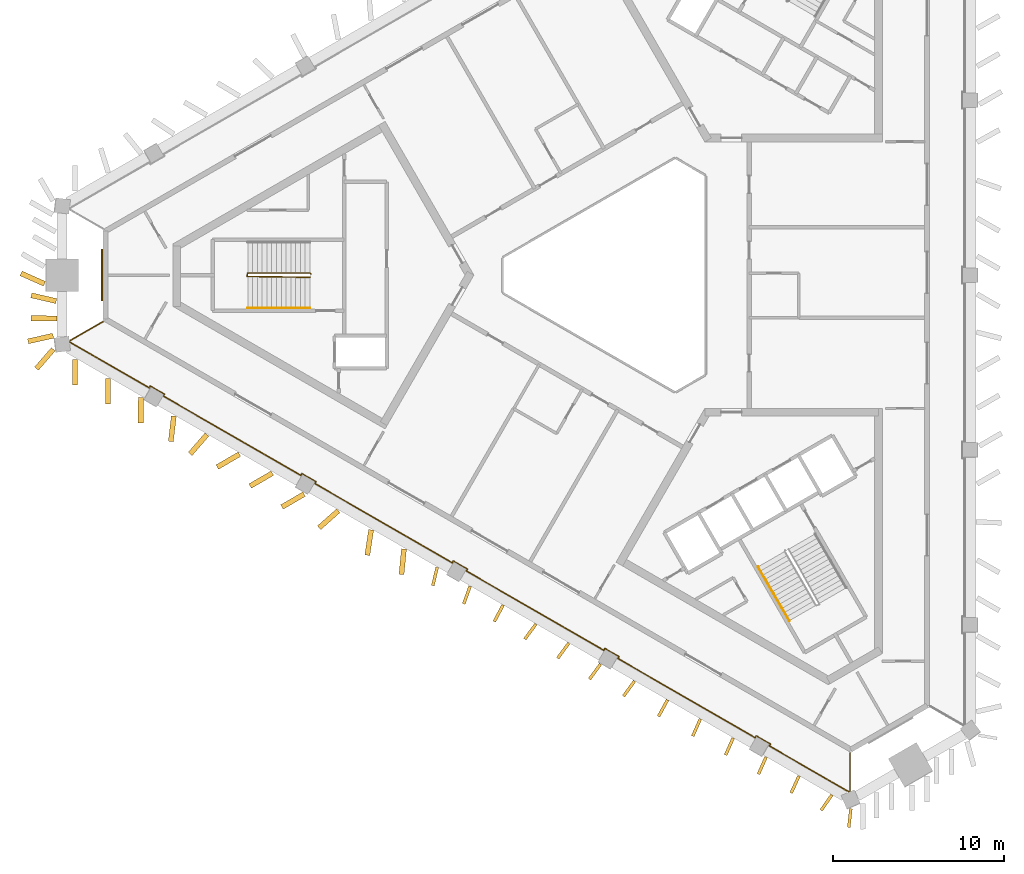
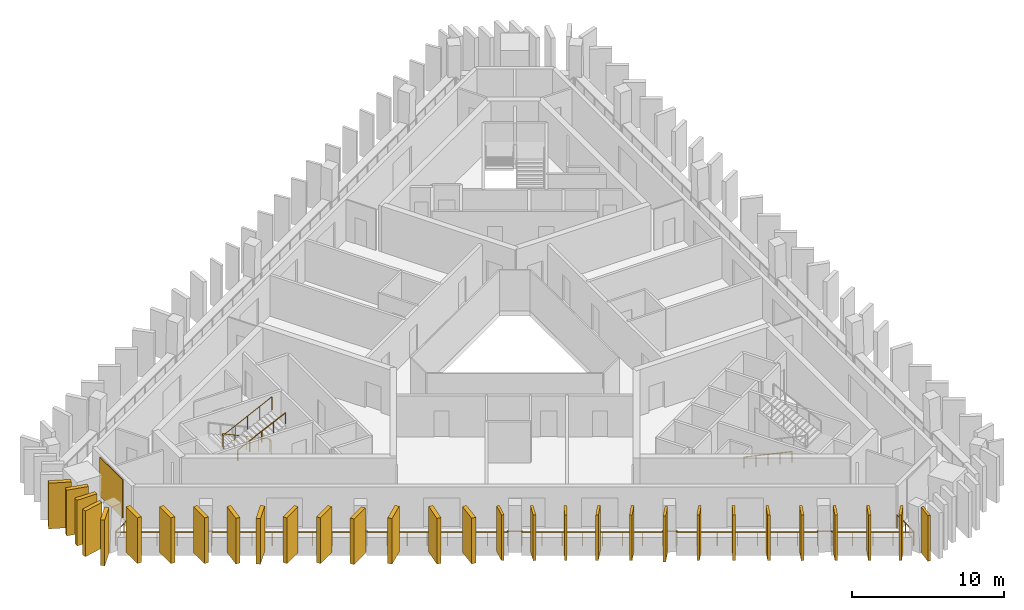
# One storey, part 7 of 9: 30 shading devices, 4 railings, 1 covering.
"""IFC4 building model written with IfcOpenShell, lengths in metres."""

from ifc_helpers import new_model, si_unit, direction, frame, frame_2d, origin, origin_2d, place, context, subcontext, project, spatial, rectangle, circle, extrude, material, layer, layer_set, type_object, element, save


model = new_model("IFC4")

# Units and contexts
model_context = context("Model", 3, precision=1e-05, world=origin(), true_north=direction((0.0, 1.0)))
body_context = subcontext(model_context, "Body", "Model", "MODEL_VIEW")
ifc_project = project(units=[si_unit("LENGTHUNIT", "METRE"), si_unit("AREAUNIT", "SQUARE_METRE"), si_unit("VOLUMEUNIT", "CUBIC_METRE"), si_unit("PLANEANGLEUNIT", "RADIAN"), si_unit("MASSUNIT", "GRAM", prefix="KILO")], contexts=[model_context])

# Site, building, storey
site_placement = place(None, origin())
site = spatial("IfcSite", under=ifc_project, at=site_placement, CompositionType="ELEMENT")
building_placement = place(site_placement, origin())
building = spatial("IfcBuilding", under=site, at=building_placement, Name="Jabali Bay Hotel Tower and Convention Centre", CompositionType="ELEMENT")
storey_placement = place(building_placement, frame((0.0, 0.0, 228.0)))
storey = spatial("IfcBuildingStorey", under=building, at=storey_placement, Name="L56", CompositionType="ELEMENT", Elevation=228.0)

# Railing
ifc_material_1 = material(Name="Glass", Category="glass")
railing_type_1 = type_object("IfcRailingType", Name="Loggia glass guard 1100", PredefinedType="BALUSTRADE", material=ifc_material_1)
railing_1_placement = place(storey_placement, frame((87.993408203125, 52.05712890625, 0.0)))
element("IfcRailing", 1, at=railing_1_placement, inside=storey, type_object=railing_type_1, Name="Loggia glass guard L56", PredefinedType="BALUSTRADE", context=body_context, shape_type="SweptSolid", body=[
    extrude(circle(Radius=0.02490234375, at=origin_2d()), frame((0.0, 0.0, 1.0751953125), z_axis=(0.0, -1.0, 0.0), x_axis=(0.991444861374, 0.0, 0.13052619222)), (0.0, 0.0, 1.0), 2.24755859375),
    extrude(circle(Radius=0.02490234375, at=origin_2d()), frame((0.0, -2.24755859375, 1.0751953125), z_axis=(-0.91970817197, -0.392602697916, 0.0), x_axis=(0.38924392741, -0.911839941063, 0.13052619222)), (0.0, 0.0, 1.0), 0.067138671875),
    extrude(circle(Radius=0.02490234375, at=origin_2d()), frame((-0.061767578125, -2.27392578125, 1.0751953125), z_axis=(-0.866004064096, 0.500036959603, 0.0), x_axis=(-0.495759074095, -0.858595279277, 0.13052619222)), (0.0, 0.0, 1.0), 5.37548828125),
    extrude(circle(Radius=0.02490234375, at=origin_2d()), frame((-4.717041015625, 0.4140625, 1.0751953125), z_axis=(0.500342721131, 0.865827443207, 0.0), x_axis=(-0.858420169404, 0.496062219791, 0.13052619222)), (0.0, 0.0, 1.0), 0.125),
    extrude(circle(Radius=0.02490234375, at=origin_2d()), frame((-4.654541015625, 0.522216796875, 1.0751953125), z_axis=(-0.865988727248, 0.500063520245, 0.0), x_axis=(-0.495785407507, -0.858580073638, 0.13052619222)), (0.0, 0.0, 1.0), 0.9501953125),
    extrude(circle(Radius=0.02490234375, at=origin_2d()), frame((-5.477294921875, 0.997314453125, 1.0751953125), z_axis=(-0.499497219344, -0.8663154898, 0.0), x_axis=(0.858904040691, -0.495223951389, 0.13052619222)), (0.0, 0.0, 1.0), 0.125244140625),
    extrude(circle(Radius=0.02490234375, at=origin_2d()), frame((-5.539794921875, 0.888916015625, 1.0751953125), z_axis=(-0.866017763265, 0.500013233535, 0.0), x_axis=(-0.495735551007, -0.858608861247, 0.13052619222)), (0.0, 0.0, 1.0), 9.278564453125),
    extrude(circle(Radius=0.02490234375, at=origin_2d()), frame((-13.5751953125, 5.5283203125, 1.0751953125), z_axis=(0.500342721131, 0.865827443207, 0.0), x_axis=(-0.858420169404, 0.496062219791, 0.13052619222)), (0.0, 0.0, 1.0), 0.125),
    extrude(circle(Radius=0.02490234375, at=origin_2d()), frame((-13.5126953125, 5.636474609375, 1.0751953125), z_axis=(-0.865988727248, 0.500063520245, 0.0), x_axis=(-0.495785407507, -0.858580073638, 0.13052619222)), (0.0, 0.0, 1.0), 0.9501953125),
    extrude(circle(Radius=0.02490234375, at=origin_2d()), frame((-14.33544921875, 6.111572265625, 1.0751953125), z_axis=(-0.499497219344, -0.8663154898, 0.0), x_axis=(0.858904040691, -0.495223951389, 0.13052619222)), (0.0, 0.0, 1.0), 0.125244140625),
    extrude(circle(Radius=0.02490234375, at=origin_2d()), frame((-14.39794921875, 6.003173828125, 1.0751953125), z_axis=(-0.866029156965, 0.499993499245, 0.0), x_axis=(-0.495715985547, -0.858620157473, 0.13052619222)), (0.0, 0.0, 1.0), 9.2783203125),
    extrude(circle(Radius=0.02490234375, at=origin_2d()), frame((-22.433349609375, 10.642333984375, 1.0751953125), z_axis=(0.499497219344, 0.8663154898, 0.0), x_axis=(-0.858904040691, 0.495223951389, 0.13052619222)), (0.0, 0.0, 1.0), 0.125244140625),
    extrude(circle(Radius=0.02490234375, at=origin_2d()), frame((-22.370849609375, 10.750732421875, 1.0751953125), z_axis=(-0.866100000774, 0.49987077196, 0.0), x_axis=(-0.495594308211, -0.858690395203, 0.13052619222)), (0.0, 0.0, 1.0), 0.949951171875),
    extrude(circle(Radius=0.02490234375, at=origin_2d()), frame((-23.193603515625, 11.2255859375, 1.0751953125), z_axis=(-0.500342721131, -0.865827443207, 0.0), x_axis=(0.858420169404, -0.496062219791, 0.13052619222)), (0.0, 0.0, 1.0), 0.125),
    extrude(circle(Radius=0.02490234375, at=origin_2d()), frame((-23.256103515625, 11.117431640625, 1.0751953125), z_axis=(-0.866029156965, 0.499993499245, 0.0), x_axis=(-0.495715985547, -0.858620157473, 0.13052619222)), (0.0, 0.0, 1.0), 9.2783203125),
    extrude(circle(Radius=0.02490234375, at=origin_2d()), frame((-31.29150390625, 15.756591796875, 1.0751953125), z_axis=(0.499497219344, 0.8663154898, 0.0), x_axis=(-0.858904040691, 0.495223951389, 0.13052619222)), (0.0, 0.0, 1.0), 0.125244140625),
    extrude(circle(Radius=0.02490234375, at=origin_2d()), frame((-31.22900390625, 15.864990234375, 1.0751953125), z_axis=(-0.866100000774, 0.49987077196, 0.0), x_axis=(-0.495594308211, -0.858690395203, 0.13052619222)), (0.0, 0.0, 1.0), 0.949951171875),
    extrude(circle(Radius=0.02490234375, at=origin_2d()), frame((-32.0517578125, 16.33984375, 1.0751953125), z_axis=(-0.500342721131, -0.865827443207, 0.0), x_axis=(0.858420169404, -0.496062219791, 0.13052619222)), (0.0, 0.0, 1.0), 0.125),
    extrude(circle(Radius=0.02490234375, at=origin_2d()), frame((-32.1142578125, 16.231689453125, 1.0751953125), z_axis=(-0.866022578741, 0.500004893086, 0.0), x_axis=(-0.495727281912, -0.858613635527, 0.13052619222)), (0.0, 0.0, 1.0), 9.2783203125),
    extrude(circle(Radius=0.02490234375, at=origin_2d()), frame((-40.1494140625, 20.870849609375, 1.0751953125), z_axis=(0.499497219344, 0.8663154898, 0.0), x_axis=(-0.858904040691, 0.495223951389, 0.13052619222)), (0.0, 0.0, 1.0), 0.125244140625),
    extrude(circle(Radius=0.02490234375, at=origin_2d()), frame((-40.0869140625, 20.979248046875, 1.0751953125), z_axis=(-0.866100000774, 0.49987077196, 0.0), x_axis=(-0.495594308211, -0.858690395203, 0.13052619222)), (0.0, 0.0, 1.0), 0.949951171875),
    extrude(circle(Radius=0.02490234375, at=origin_2d()), frame((-40.90966796875, 21.4541015625, 1.0751953125), z_axis=(-0.500342721131, -0.865827443207, 0.0), x_axis=(0.858420169404, -0.496062219791, 0.13052619222)), (0.0, 0.0, 1.0), 0.125),
    extrude(circle(Radius=0.02490234375, at=origin_2d()), frame((-40.97216796875, 21.345947265625, 1.0751953125), z_axis=(-0.866035084688, 0.499983231807, 0.0), x_axis=(-0.495705805949, -0.858626034484, 0.13052619222)), (0.0, 0.0, 1.0), 5.375732421875),
    extrude(circle(Radius=0.02490234375, at=origin_2d()), frame((-45.627685546875, 24.03369140625, 1.0751953125), z_axis=(-0.120005554105, 0.99277322032, 0.0), x_axis=(-0.984279907796, -0.118978889953, 0.13052619222)), (0.0, 0.0, 1.0), 0.067138671875),
    extrude(circle(Radius=0.02490234375, at=origin_2d()), frame((-45.6357421875, 24.100341796875, 1.0751953125), z_axis=(0.866008297462, 0.50002962785, 0.0), x_axis=(-0.495751805066, 0.858599476426, 0.13052619222)), (0.0, 0.0, 1.0), 2.247314453125),
    extrude(circle(Radius=0.02001953125, at=origin_2d()), origin(), (0.0, 0.0, 1.0), 1.050048828125),
    extrude(circle(Radius=0.02001953125, at=origin_2d()), frame((0.0, -1.123779296875, 0.0)), (0.0, 0.0, 1.0), 1.050048828125),
    extrude(circle(Radius=0.02001953125, at=origin_2d()), frame((0.0, -2.24755859375, 0.0)), (0.0, 0.0, 1.0), 1.050048828125),
    extrude(circle(Radius=0.02001953125, at=origin_2d()), frame((-0.061767578125, -2.27392578125, 0.0)), (0.0, 0.0, 1.0), 1.050048828125),
    extrude(circle(Radius=0.02001953125, at=origin_2d()), frame((-1.2255859375, -1.60205078125, 0.0)), (0.0, 0.0, 1.0), 1.050048828125),
    extrude(circle(Radius=0.02001953125, at=origin_2d()), frame((-2.389404296875, -0.929931640625, 0.0)), (0.0, 0.0, 1.0), 1.050048828125),
    extrude(circle(Radius=0.02001953125, at=origin_2d()), frame((-3.55322265625, -0.2578125, 0.0)), (0.0, 0.0, 1.0), 1.050048828125),
    extrude(circle(Radius=0.02001953125, at=origin_2d()), frame((-4.717041015625, 0.4140625, 0.0)), (0.0, 0.0, 1.0), 1.050048828125),
    extrude(circle(Radius=0.02001953125, at=origin_2d()), frame((-4.654541015625, 0.522216796875, 0.0)), (0.0, 0.0, 1.0), 1.050048828125),
    extrude(circle(Radius=0.02001953125, at=origin_2d()), frame((-5.477294921875, 0.997314453125, 0.0)), (0.0, 0.0, 1.0), 1.050048828125),
    extrude(circle(Radius=0.02001953125, at=origin_2d()), frame((-5.539794921875, 0.888916015625, 0.0)), (0.0, 0.0, 1.0), 1.050048828125),
    extrude(circle(Radius=0.02001953125, at=origin_2d()), frame((-6.687744140625, 1.5517578125, 0.0)), (0.0, 0.0, 1.0), 1.050048828125),
    extrude(circle(Radius=0.02001953125, at=origin_2d()), frame((-7.835693359375, 2.21435546875, 0.0)), (0.0, 0.0, 1.0), 1.050048828125),
    extrude(circle(Radius=0.02001953125, at=origin_2d()), frame((-8.983642578125, 2.877197265625, 0.0)), (0.0, 0.0, 1.0), 1.050048828125),
    extrude(circle(Radius=0.02001953125, at=origin_2d()), frame((-10.13134765625, 3.5400390625, 0.0)), (0.0, 0.0, 1.0), 1.050048828125),
    extrude(circle(Radius=0.02001953125, at=origin_2d()), frame((-11.279296875, 4.202880859375, 0.0)), (0.0, 0.0, 1.0), 1.050048828125),
    extrude(circle(Radius=0.02001953125, at=origin_2d()), frame((-12.42724609375, 4.865478515625, 0.0)), (0.0, 0.0, 1.0), 1.050048828125),
    extrude(circle(Radius=0.02001953125, at=origin_2d()), frame((-13.5751953125, 5.5283203125, 0.0)), (0.0, 0.0, 1.0), 1.050048828125),
    extrude(circle(Radius=0.02001953125, at=origin_2d()), frame((-13.5126953125, 5.636474609375, 0.0)), (0.0, 0.0, 1.0), 1.050048828125),
    extrude(circle(Radius=0.02001953125, at=origin_2d()), frame((-14.33544921875, 6.111572265625, 0.0)), (0.0, 0.0, 1.0), 1.050048828125),
    extrude(circle(Radius=0.02001953125, at=origin_2d()), frame((-14.39794921875, 6.003173828125, 0.0)), (0.0, 0.0, 1.0), 1.050048828125),
    extrude(circle(Radius=0.02001953125, at=origin_2d()), frame((-15.5458984375, 6.666015625, 0.0)), (0.0, 0.0, 1.0), 1.050048828125),
    extrude(circle(Radius=0.02001953125, at=origin_2d()), frame((-16.69384765625, 7.32861328125, 0.0)), (0.0, 0.0, 1.0), 1.050048828125),
    extrude(circle(Radius=0.02001953125, at=origin_2d()), frame((-17.841796875, 7.991455078125, 0.0)), (0.0, 0.0, 1.0), 1.050048828125),
    extrude(circle(Radius=0.02001953125, at=origin_2d()), frame((-18.989501953125, 8.654052734375, 0.0)), (0.0, 0.0, 1.0), 1.050048828125),
    extrude(circle(Radius=0.02001953125, at=origin_2d()), frame((-20.137451171875, 9.31689453125, 0.0)), (0.0, 0.0, 1.0), 1.050048828125),
    extrude(circle(Radius=0.02001953125, at=origin_2d()), frame((-21.285400390625, 9.9794921875, 0.0)), (0.0, 0.0, 1.0), 1.050048828125),
    extrude(circle(Radius=0.02001953125, at=origin_2d()), frame((-22.433349609375, 10.642333984375, 0.0)), (0.0, 0.0, 1.0), 1.050048828125),
    extrude(circle(Radius=0.02001953125, at=origin_2d()), frame((-22.370849609375, 10.750732421875, 0.0)), (0.0, 0.0, 1.0), 1.050048828125),
    extrude(circle(Radius=0.02001953125, at=origin_2d()), frame((-23.193603515625, 11.2255859375, 0.0)), (0.0, 0.0, 1.0), 1.050048828125),
    extrude(circle(Radius=0.02001953125, at=origin_2d()), frame((-23.256103515625, 11.117431640625, 0.0)), (0.0, 0.0, 1.0), 1.050048828125),
    extrude(circle(Radius=0.02001953125, at=origin_2d()), frame((-24.404052734375, 11.7802734375, 0.0)), (0.0, 0.0, 1.0), 1.050048828125),
    extrude(circle(Radius=0.02001953125, at=origin_2d()), frame((-25.552001953125, 12.44287109375, 0.0)), (0.0, 0.0, 1.0), 1.050048828125),
    extrude(circle(Radius=0.02001953125, at=origin_2d()), frame((-26.699951171875, 13.105712890625, 0.0)), (0.0, 0.0, 1.0), 1.050048828125),
    extrude(circle(Radius=0.02001953125, at=origin_2d()), frame((-27.84765625, 13.768310546875, 0.0)), (0.0, 0.0, 1.0), 1.050048828125),
    extrude(circle(Radius=0.02001953125, at=origin_2d()), frame((-28.99560546875, 14.43115234375, 0.0)), (0.0, 0.0, 1.0), 1.050048828125),
    extrude(circle(Radius=0.02001953125, at=origin_2d()), frame((-30.1435546875, 15.09375, 0.0)), (0.0, 0.0, 1.0), 1.050048828125),
    extrude(circle(Radius=0.02001953125, at=origin_2d()), frame((-31.29150390625, 15.756591796875, 0.0)), (0.0, 0.0, 1.0), 1.050048828125),
    extrude(circle(Radius=0.02001953125, at=origin_2d()), frame((-31.22900390625, 15.864990234375, 0.0)), (0.0, 0.0, 1.0), 1.050048828125),
    extrude(circle(Radius=0.02001953125, at=origin_2d()), frame((-32.0517578125, 16.33984375, 0.0)), (0.0, 0.0, 1.0), 1.050048828125),
    extrude(circle(Radius=0.02001953125, at=origin_2d()), frame((-32.1142578125, 16.231689453125, 0.0)), (0.0, 0.0, 1.0), 1.050048828125),
    extrude(circle(Radius=0.02001953125, at=origin_2d()), frame((-33.26220703125, 16.89453125, 0.0)), (0.0, 0.0, 1.0), 1.050048828125),
    extrude(circle(Radius=0.02001953125, at=origin_2d()), frame((-34.409912109375, 17.55712890625, 0.0)), (0.0, 0.0, 1.0), 1.050048828125),
    extrude(circle(Radius=0.02001953125, at=origin_2d()), frame((-35.557861328125, 18.219970703125, 0.0)), (0.0, 0.0, 1.0), 1.050048828125),
    extrude(circle(Radius=0.02001953125, at=origin_2d()), frame((-36.705810546875, 18.882568359375, 0.0)), (0.0, 0.0, 1.0), 1.050048828125),
    extrude(circle(Radius=0.02001953125, at=origin_2d()), frame((-37.853759765625, 19.54541015625, 0.0)), (0.0, 0.0, 1.0), 1.050048828125),
    extrude(circle(Radius=0.02001953125, at=origin_2d()), frame((-39.00146484375, 20.2080078125, 0.0)), (0.0, 0.0, 1.0), 1.050048828125),
    extrude(circle(Radius=0.02001953125, at=origin_2d()), frame((-40.1494140625, 20.870849609375, 0.0)), (0.0, 0.0, 1.0), 1.050048828125),
    extrude(circle(Radius=0.02001953125, at=origin_2d()), frame((-40.0869140625, 20.979248046875, 0.0)), (0.0, 0.0, 1.0), 1.050048828125),
    extrude(circle(Radius=0.02001953125, at=origin_2d()), frame((-40.90966796875, 21.4541015625, 0.0)), (0.0, 0.0, 1.0), 1.050048828125),
    extrude(circle(Radius=0.02001953125, at=origin_2d()), frame((-40.97216796875, 21.345947265625, 0.0)), (0.0, 0.0, 1.0), 1.050048828125),
    extrude(circle(Radius=0.02001953125, at=origin_2d()), frame((-42.135986328125, 22.017822265625, 0.0)), (0.0, 0.0, 1.0), 1.050048828125),
    extrude(circle(Radius=0.02001953125, at=origin_2d()), frame((-43.2998046875, 22.68994140625, 0.0)), (0.0, 0.0, 1.0), 1.050048828125),
    extrude(circle(Radius=0.02001953125, at=origin_2d()), frame((-44.4638671875, 23.36181640625, 0.0)), (0.0, 0.0, 1.0), 1.050048828125),
    extrude(circle(Radius=0.02001953125, at=origin_2d()), frame((-45.627685546875, 24.03369140625, 0.0)), (0.0, 0.0, 1.0), 1.050048828125),
    extrude(circle(Radius=0.02001953125, at=origin_2d()), frame((-45.6357421875, 24.100341796875, 0.0)), (0.0, 0.0, 1.0), 1.050048828125),
    extrude(circle(Radius=0.02001953125, at=origin_2d()), frame((-44.66259765625, 24.662109375, 0.0)), (0.0, 0.0, 1.0), 1.050048828125),
    extrude(circle(Radius=0.02001953125, at=origin_2d()), frame((-43.689453125, 25.22412109375, 0.0)), (0.0, 0.0, 1.0), 1.050048828125),
])

# Shading devices
ifc_material_2 = material(Name="Precast concrete C60", Category="concrete")
ifc_layer_1 = layer(ifc_material_2, 0.179931640625)
ifc_layer_set_1 = layer_set([ifc_layer_1], Name="Precast concrete C60")
shading_device_type_1 = type_object("IfcShadingDeviceType", Name="Precast fin 3680 x 1100", PredefinedType="USERDEFINED", material=ifc_layer_set_1)
for number, where, z_axis, x_axis, name in (
    (2, (63.853515625, 62.913330078125, 0.010009765625), (0.0, 0.0, 1.0), (-0.231500497633, -0.972834785355, 0.0), "Fin L56 075"),
    (3, (65.78076171875, 61.81201171875, 0.010009765625), (0.0, 0.0, 1.0), (-0.340958728661, -0.940078265545, 0.0), "Fin L56 076"),
):
    element("IfcShadingDevice", number, at=place(storey_placement, frame(where, z_axis=z_axis, x_axis=x_axis)), inside=storey, type_object=shading_device_type_1, Name=name, ObjectType="FIN", PredefinedType="USERDEFINED", context=body_context, shape_type="SweptSolid", body=[
        extrude(rectangle(XDim=1.099853515625, YDim=0.179931640625, at=frame_2d((0.5498046875, 0.0))), origin(), (0.0, 0.0, 1.0), 3.679931640625),
    ])
for number, where, z_axis, x_axis, name in (
    (4, (67.709716796875, 60.713134765625, 0.010009765625), (0.0, 0.0, 1.0), (-0.470058271093, -0.88263538439, 0.0), "Fin L56 077"),
    (5, (69.628662109375, 59.59716796875, 0.010009765625), (0.0, 0.0, 1.0), (-0.593910447541, -0.804531155582, 0.0), "Fin L56 078"),
    (6, (71.55126953125, 58.487548828125, 0.010009765625), (0.0, 0.0, 1.0), (-0.589938679947, -0.807448050281, 0.0), "Fin L56 079"),
    (7, (73.40771484375, 57.262939453125, 0.010009765625), (0.0, 0.0, 1.0), (-0.588791741155, -0.80828477998, 0.0), "Fin L56 080"),
    (8, (75.396484375, 56.267822265625, 0.010009765625), (0.0, 0.0, 1.0), (-0.588290444592, -0.808649709579, 0.0), "Fin L56 081"),
    (9, (77.322509765625, 55.164306640625, 0.010009765625), (0.0, 0.0, 1.0), (-0.478883226143, -0.877878611039, 0.0), "Fin L56 082"),
    (10, (79.241455078125, 54.048095703125, 0.010009765625), (0.0, 0.0, 1.0), (-0.406550227818, -0.913628432275, 0.0), "Fin L56 083"),
):
    element("IfcShadingDevice", number, at=place(storey_placement, frame(where, z_axis=z_axis, x_axis=x_axis)), inside=storey, type_object=shading_device_type_1, Name=name, ObjectType="FIN", PredefinedType="USERDEFINED", context=body_context, shape_type="SweptSolid", body=[
        extrude(rectangle(XDim=1.10009765625, YDim=0.179931640625, at=frame_2d((0.550048828125, 0.0))), origin(), (0.0, 0.0, 1.0), 3.679931640625),
    ])
for number, where, z_axis, x_axis, name in (
    (11, (81.163818359375, 52.93798828125, 0.010009765625), (0.0, 0.0, 1.0), (-0.406632670459, -0.913591742145, 0.0), "Fin L56 084"),
    (12, (83.086181640625, 51.828125, 0.010009765625), (0.0, 0.0, 1.0), (-0.40617965337, -0.913793242035, 0.0), "Fin L56 085"),
):
    element("IfcShadingDevice", number, at=place(storey_placement, frame(where, z_axis=z_axis, x_axis=x_axis)), inside=storey, type_object=shading_device_type_1, Name=name, ObjectType="FIN", PredefinedType="USERDEFINED", context=body_context, shape_type="SweptSolid", body=[
        extrude(rectangle(XDim=1.099853515625, YDim=0.179931640625, at=frame_2d((0.5498046875, 0.0))), origin(), (0.0, 0.0, 1.0), 3.679931640625),
    ])
for number, where, z_axis, x_axis, name in (
    (13, (85.00927734375, 50.718994140625, 0.010009765625), (0.0, 0.0, 1.0), (-0.41614261584, -0.909299358452, 0.0), "Fin L56 086"),
    (14, (86.93212890625, 49.60986328125, 0.010009765625), (0.0, 0.0, 1.0), (-0.57062871081, -0.821208179696, 0.0), "Fin L56 087"),
    (15, (88.04345703125, 48.80517578125, 0.010009765625), (0.0, 0.0, 1.0), (-0.110748191333, -0.993848498573, 0.0), "Fin L56 101"),
):
    element("IfcShadingDevice", number, at=place(storey_placement, frame(where, z_axis=z_axis, x_axis=x_axis)), inside=storey, type_object=shading_device_type_1, Name=name, ObjectType="FIN", PredefinedType="USERDEFINED", context=body_context, shape_type="SweptSolid", body=[
        extrude(rectangle(XDim=1.10009765625, YDim=0.179931640625, at=frame_2d((0.550048828125, 0.0))), origin(), (0.0, 0.0, 1.0), 3.679931640625),
    ])
ifc_layer_2 = layer(ifc_material_2, 0.300048828125)
ifc_layer_set_2 = layer_set([ifc_layer_2], Name="Precast concrete C60")
shading_device_type_2 = type_object("IfcShadingDeviceType", Name="Precast fin 3680 x 1500", PredefinedType="USERDEFINED", material=ifc_layer_set_2)
for number, where, z_axis, x_axis, name in (
    (16, (40.893798828125, 79.494140625, 0.010009765625), (0.0, 0.0, 1.0), (-0.91390548953, 0.405927033106, 0.0), "Fin L56 060"),
    (17, (41.58349609375, 78.482421875, 0.010009765625), (0.0, 0.0, 1.0), (-0.974333554562, 0.225109138984, 0.0), "Fin L56 061"),
    (18, (41.615966796875, 77.470703125, 0.010009765625), (0.0, 0.0, 1.0), (-0.999965550296, 0.008300495291, 0.0), "Fin L56 062"),
    (19, (41.3994140625, 76.458984375, 0.010009765625), (0.0, 0.0, 1.0), (-0.975744639725, -0.218911849947, 0.0), "Fin L56 063"),
    (20, (42.681640625, 75.080322265625, 0.010009765625), (0.0, 0.0, 1.0), (-0.002278639918, -0.999997403897, 0.0), "Fin L56 064"),
    (21, (44.604248046875, 73.970458984375, 0.010009765625), (0.0, 0.0, 1.0), (-0.002278639918, -0.999997403897, 0.0), "Fin L56 065"),
    (22, (46.526611328125, 72.8603515625, 0.010009765625), (0.0, 0.0, 1.0), (-0.002278639918, -0.999997403897, 0.0), "Fin L56 066"),
):
    element("IfcShadingDevice", number, at=place(storey_placement, frame(where, z_axis=z_axis, x_axis=x_axis)), inside=storey, type_object=shading_device_type_2, Name=name, ObjectType="FIN", PredefinedType="USERDEFINED", context=body_context, shape_type="SweptSolid", body=[
        extrude(rectangle(XDim=1.5, YDim=0.300048828125, at=frame_2d((0.75, 0.0))), origin(), (0.0, 0.0, 1.0), 3.679931640625),
    ])
shading_device_1_placement = place(storey_placement, frame((48.456787109375, 71.763916015625, 0.010009765625), z_axis=(0.0, 0.0, 1.0), x_axis=(-0.116520209369, -0.993188320918, 0.0)))
element("IfcShadingDevice", 23, at=shading_device_1_placement, inside=storey, type_object=shading_device_type_2, Name="Fin L56 067", ObjectType="FIN", PredefinedType="USERDEFINED", context=body_context, shape_type="SweptSolid", body=[
    extrude(rectangle(XDim=1.500244140625, YDim=0.300048828125, at=frame_2d((0.75, 0.0))), origin(), (0.0, 0.0, 1.0), 3.679931640625),
])
shading_device_2_placement = place(storey_placement, frame((50.394775390625, 70.6806640625, 0.010009765625), z_axis=(0.0, 0.0, 1.0), x_axis=(-0.654936734753, -0.755683712589, 0.0)))
element("IfcShadingDevice", 24, at=shading_device_2_placement, inside=storey, type_object=shading_device_type_2, Name="Fin L56 068", ObjectType="FIN", PredefinedType="USERDEFINED", context=body_context, shape_type="SweptSolid", body=[
    extrude(rectangle(XDim=1.5, YDim=0.300048828125, at=frame_2d((0.75, 0.0))), origin(), (0.0, 0.0, 1.0), 3.679931640625),
])
shading_device_3_placement = place(storey_placement, frame((52.294189453125, 69.53076171875, 0.010009765625), z_axis=(0.0, 0.0, 1.0), x_axis=(-0.864827698909, -0.502068771384, 0.0)))
element("IfcShadingDevice", 25, at=shading_device_3_placement, inside=storey, type_object=shading_device_type_2, Name="Fin L56 069", ObjectType="FIN", PredefinedType="USERDEFINED", context=body_context, shape_type="SweptSolid", body=[
    extrude(rectangle(XDim=1.500244140625, YDim=0.300048828125, at=frame_2d((0.75, 0.0))), origin(), (0.0, 0.0, 1.0), 3.679931640625),
])
shading_device_4_placement = place(storey_placement, frame((54.216552734375, 68.420654296875, 0.010009765625), z_axis=(0.0, 0.0, 1.0), x_axis=(-0.864786666582, -0.502139444081, 0.0)))
element("IfcShadingDevice", 26, at=shading_device_4_placement, inside=storey, type_object=shading_device_type_2, Name="Fin L56 070", ObjectType="FIN", PredefinedType="USERDEFINED", context=body_context, shape_type="SweptSolid", body=[
    extrude(rectangle(XDim=1.5, YDim=0.300048828125, at=frame_2d((0.75, 0.0))), origin(), (0.0, 0.0, 1.0), 3.679931640625),
])
for number, where, z_axis, x_axis, name in (
    (27, (56.07275390625, 67.196044921875, 0.010009765625), (0.0, 0.0, 1.0), (-0.864197780978, -0.503152258618, 0.0), "Fin L56 071"),
    (28, (58.074951171875, 66.224365234375, 0.010009765625), (0.0, 0.0, 1.0), (-0.748772820038, -0.662826722434, 0.0), "Fin L56 072"),
):
    element("IfcShadingDevice", number, at=place(storey_placement, frame(where, z_axis=z_axis, x_axis=x_axis)), inside=storey, type_object=shading_device_type_2, Name=name, ObjectType="FIN", PredefinedType="USERDEFINED", context=body_context, shape_type="SweptSolid", body=[
        extrude(rectangle(XDim=1.499755859375, YDim=0.300048828125, at=frame_2d((0.75, 0.0))), origin(), (0.0, 0.0, 1.0), 3.679931640625),
    ])
for number, where, z_axis, x_axis, name in (
    (29, (59.994140625, 65.1083984375, 0.010009765625), (0.0, 0.0, 1.0), (-0.150711722211, -0.988577754548, 0.0), "Fin L56 073"),
    (30, (61.912841796875, 63.991943359375, 0.010009765625), (0.0, 0.0, 1.0), (-0.096844354101, -0.99529953837, 0.0), "Fin L56 074"),
):
    element("IfcShadingDevice", number, at=place(storey_placement, frame(where, z_axis=z_axis, x_axis=x_axis)), inside=storey, type_object=shading_device_type_2, Name=name, ObjectType="FIN", PredefinedType="USERDEFINED", context=body_context, shape_type="SweptSolid", body=[
        extrude(rectangle(XDim=1.5, YDim=0.300048828125, at=frame_2d((0.75, 0.0))), origin(), (0.0, 0.0, 1.0), 3.679931640625),
    ])
shading_device_5_placement = place(storey_placement, frame((41.40966796875, 75.667724609375, 0.010009765625), z_axis=(0.0, 0.0, 1.0), x_axis=(-0.655017293767, -0.7556138861, 0.0)))
element("IfcShadingDevice", 31, at=shading_device_5_placement, inside=storey, type_object=shading_device_type_2, Name="Fin L56 100", ObjectType="FIN", PredefinedType="USERDEFINED", context=body_context, shape_type="SweptSolid", body=[
    extrude(rectangle(XDim=1.499755859375, YDim=0.300048828125, at=frame_2d((0.75, 0.0))), origin(), (0.0, 0.0, 1.0), 3.679931640625),
])

# Covering
ifc_material_3 = material(Name="Precast concrete C40/50", Category="concrete")
ifc_layer_3 = layer(ifc_material_3, 0.080078125)
ifc_layer_set_3 = layer_set([ifc_layer_3], Name="Precast concrete C40/50")
covering_type = type_object("IfcCoveringType", Name="Relief panel 3000 x 3100", PredefinedType="CLADDING", material=ifc_layer_set_3)
covering_placement = place(storey_placement, frame((44.263916015625, 80.0, 0.099853515625), z_axis=(0.0, 0.0, 1.0), x_axis=(0.0, 1.0, 0.0)))
element("IfcCovering", 32, at=covering_placement, inside=storey, type_object=covering_type, Name="Relief panel L56", PredefinedType="CLADDING", context=body_context, shape_type="SweptSolid", body=[
    extrude(rectangle(XDim=3.0, YDim=0.080078125, at=origin_2d()), origin(), (0.0, 0.0, 1.0), 3.10009765625),
])

# Railings
ifc_material_4 = material(Name="Steel Q355B", Category="steel")
railing_type_2 = type_object("IfcRailingType", Name="Stair guard 1100", PredefinedType="GUARDRAIL", material=ifc_material_4)
railing_2_placement = place(storey_placement, frame((56.469970703125, 80.074951171875, 0.0)))
element("IfcRailing", 33, at=railing_2_placement, inside=storey, type_object=railing_type_2, Name="L56 ST1 stair guard 1", PredefinedType="GUARDRAIL", context=body_context, shape_type="SweptSolid", body=[
    extrude(circle(Radius=0.02392578125, at=origin_2d()), frame((0.0, 0.0, 1.076171875), z_axis=(-0.333993628408, 0.333993628408, 0.881417331555), x_axis=(-0.707106781187, -0.707106781187, 0.0)), (0.0, 0.0, 1.0), 0.14990234375),
    extrude(circle(Radius=0.02392578125, at=origin_2d()), frame((-0.050048828125, 0.050048828125, 1.2080078125), z_axis=(-0.904327350853, 0.0, 0.426839598092), x_axis=(0.0, -1.0, 0.0)), (0.0, 0.0, 1.0), 4.02490234375),
    extrude(circle(Radius=0.02392578125, at=origin_2d()), frame((-3.68994140625, 0.050048828125, 2.92626953125), z_axis=(-0.242814311512, -0.970072785993, 0.0), x_axis=(0.970072785993, -0.242814311512, 0.0)), (0.0, 0.0, 1.0), 0.2060546875),
    extrude(circle(Radius=0.02392578125, at=origin_2d()), frame((-3.739990234375, -0.14990234375, 2.92626953125), z_axis=(0.893887803671, -0.012124321804, 0.4481267625), x_axis=(0.013562335953, 0.999908027292, 0.0)), (0.0, 0.0, 1.0), 4.1279296875),
    extrude(circle(Radius=0.02099609375, at=origin_2d()), origin(), (0.0, 0.0, 1.0), 1.052001953125),
    extrude(circle(Radius=0.02099609375, at=origin_2d()), frame((-0.050048828125, 0.050048828125, 0.132080078125)), (0.0, 0.0, 1.0), 1.052001953125),
    extrude(circle(Radius=0.02099609375, at=origin_2d()), frame((-0.9599609375, 0.050048828125, 0.5615234375)), (0.0, 0.0, 1.0), 1.052001953125),
    extrude(circle(Radius=0.02099609375, at=origin_2d()), frame((-1.8701171875, 0.050048828125, 0.9912109375)), (0.0, 0.0, 1.0), 1.052001953125),
    extrude(circle(Radius=0.02099609375, at=origin_2d()), frame((-2.780029296875, 0.050048828125, 1.420654296875)), (0.0, 0.0, 1.0), 1.052001953125),
    extrude(circle(Radius=0.02099609375, at=origin_2d()), frame((-3.68994140625, 0.050048828125, 1.85009765625)), (0.0, 0.0, 1.0), 1.052001953125),
    extrude(circle(Radius=0.02099609375, at=origin_2d()), frame((-3.739990234375, -0.14990234375, 1.85009765625)), (0.0, 0.0, 1.0), 1.052001953125),
    extrude(circle(Radius=0.02099609375, at=origin_2d()), frame((-2.8173828125, -0.162353515625, 2.3125)), (0.0, 0.0, 1.0), 1.052001953125),
    extrude(circle(Radius=0.02099609375, at=origin_2d()), frame((-1.89501953125, -0.1748046875, 2.77490234375)), (0.0, 0.0, 1.0), 1.052001953125),
    extrude(circle(Radius=0.02099609375, at=origin_2d()), frame((-0.97265625, -0.1875, 3.237548828125)), (0.0, 0.0, 1.0), 1.052001953125),
    extrude(circle(Radius=0.02099609375, at=origin_2d()), frame((-0.050048828125, -0.199951171875, 3.699951171875)), (0.0, 0.0, 1.0), 1.052001953125),
])
railing_type_3 = type_object("IfcRailingType", Name="Stair handrail 900", PredefinedType="HANDRAIL", material=ifc_material_4)
railing_3_placement = place(storey_placement, frame((52.780029296875, 78.074951171875, 1.982177734375)))
element("IfcRailing", 34, at=railing_3_placement, inside=storey, type_object=railing_type_3, Name="L56 ST1 stair handrail 2", PredefinedType="HANDRAIL", context=body_context, shape_type="SweptSolid", body=[
    extrude(circle(Radius=0.02392578125, at=origin_2d()), frame((0.0, 0.0, 0.8759765625), z_axis=(0.904350763662, 0.0, 0.426789990819), x_axis=(0.0, 1.0, 0.0)), (0.0, 0.0, 1.0), 4.02490234375),
    extrude(circle(Radius=0.02099609375, at=origin_2d()), origin(), (0.0, 0.0, 1.0), 0.851806640625),
    extrude(circle(Radius=0.02099609375, at=origin_2d()), frame((0.909912109375, 0.0, 0.429443359375)), (0.0, 0.0, 1.0), 0.851806640625),
    extrude(circle(Radius=0.02099609375, at=origin_2d()), frame((1.81982421875, 0.0, 0.85888671875)), (0.0, 0.0, 1.0), 0.851806640625),
    extrude(circle(Radius=0.02099609375, at=origin_2d()), frame((2.72998046875, 0.0, 1.288330078125)), (0.0, 0.0, 1.0), 0.851806640625),
    extrude(circle(Radius=0.02099609375, at=origin_2d()), frame((3.639892578125, 0.0, 1.7177734375)), (0.0, 0.0, 1.0), 0.851806640625),
])
railing_4_placement = place(storey_placement, frame((82.622802734375, 62.94677734375, 0.132080078125)))
element("IfcRailing", 35, at=railing_4_placement, inside=storey, type_object=railing_type_3, Name="L56 ST3 stair handrail 1", PredefinedType="HANDRAIL", context=body_context, shape_type="SweptSolid", body=[
    extrude(circle(Radius=0.02392578125, at=origin_2d()), frame((0.0, 0.0, 0.8759765625), z_axis=(0.45217862506, -0.783169739339, 0.426825081763), x_axis=(0.866018046521, 0.500012742938, 0.0)), (0.0, 0.0, 1.0), 4.025146484375),
    extrude(circle(Radius=0.02099609375, at=origin_2d()), origin(), (0.0, 0.0, 1.0), 0.851806640625),
    extrude(circle(Radius=0.02099609375, at=origin_2d()), frame((0.455078125, -0.7880859375, 0.429443359375)), (0.0, 0.0, 1.0), 0.851806640625),
    extrude(circle(Radius=0.02099609375, at=origin_2d()), frame((0.91015625, -1.576171875, 0.85888671875)), (0.0, 0.0, 1.0), 0.851806640625),
    extrude(circle(Radius=0.02099609375, at=origin_2d()), frame((1.364990234375, -2.3642578125, 1.28857421875)), (0.0, 0.0, 1.0), 0.851806640625),
    extrude(circle(Radius=0.02099609375, at=origin_2d()), frame((1.820068359375, -3.15234375, 1.718017578125)), (0.0, 0.0, 1.0), 0.851806640625),
])

save(model, "model.ifc")
